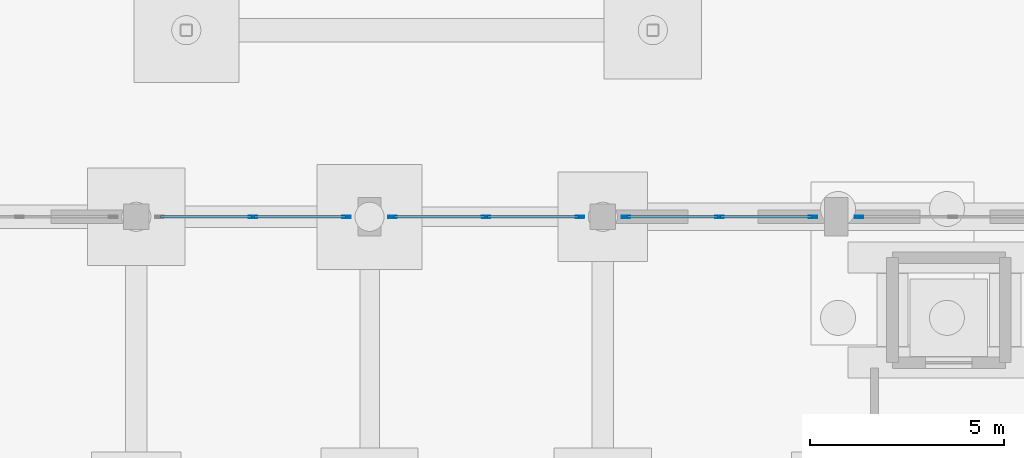
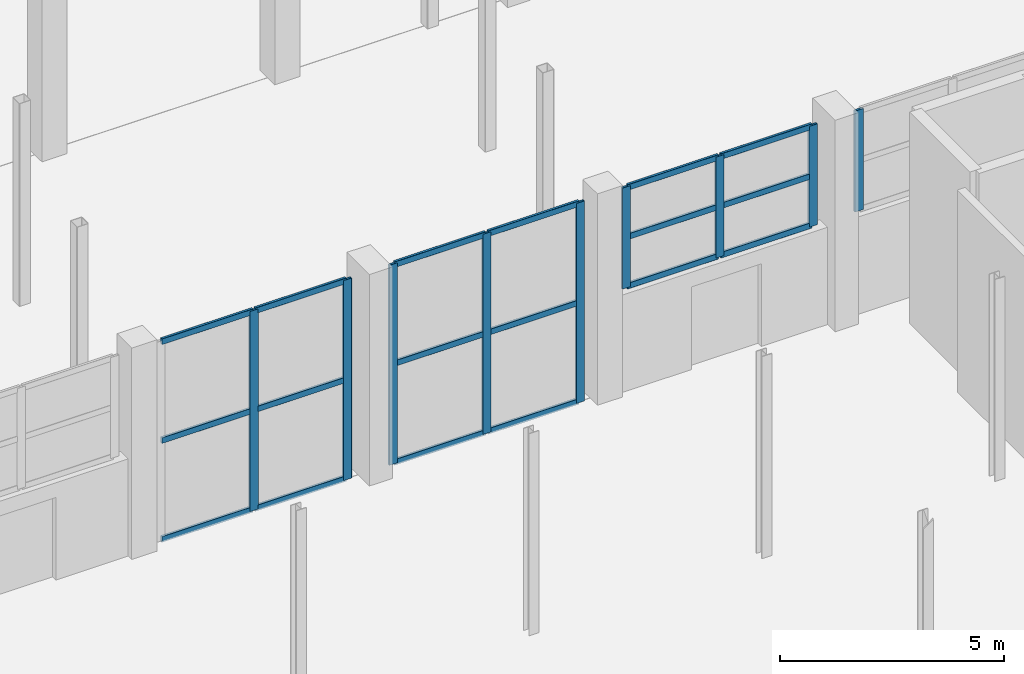
# One storey, part 64 of 103: 27 members, 4 elements without a shape of their own.
"""IFC4 building model written with IfcOpenShell, lengths in metres."""

from ifc_helpers import new_model, si_unit, direction, frame, origin, origin_2d, place, context, subcontext, project, spatial, hollow_rectangle, extrude, material, layer, layer_set, material_profile, profile_set, type_object, element, aggregate, save


model = new_model("IFC4")

# Units and contexts
model_context = context("Model", 3, precision=1e-05, world=origin(), true_north=direction((0.0, 1.0)))
body_context = subcontext(model_context, "Body", "Model", "MODEL_VIEW")
ifc_project = project(units=[si_unit("LENGTHUNIT", "METRE"), si_unit("AREAUNIT", "SQUARE_METRE"), si_unit("VOLUMEUNIT", "CUBIC_METRE"), si_unit("PLANEANGLEUNIT", "RADIAN"), si_unit("MASSUNIT", "GRAM", prefix="KILO")], contexts=[model_context])

# Site, building, storey
site_placement = place(None, origin())
site = spatial("IfcSite", under=ifc_project, at=site_placement, CompositionType="ELEMENT")
building_placement = place(site_placement, origin())
building = spatial("IfcBuilding", under=site, at=building_placement, Name="Dunvalen Ferry Terminal", CompositionType="ELEMENT")
storey_placement = place(building_placement, origin())
storey = spatial("IfcBuildingStorey", under=building, at=storey_placement, Name="L00", CompositionType="ELEMENT", Elevation=0.0)

# Curtain wall, members
ifc_material_1 = material(Name="Anodised marine aluminium and solar-control glazing", Category="aluminium")
ifc_layer = layer(ifc_material_1, 0.219970703125, Name="Anodised marine aluminium and solar-control glazing")
ifc_layer_set = layer_set([ifc_layer], Name="Anodised marine aluminium and solar-control glazing")
curtain_wall_type = type_object("IfcCurtainWallType", Name="ENV-CW-SYS-01", PredefinedType="NOTDEFINED", material=ifc_layer_set)
curtain_wall_1_placement = place(storey_placement, origin())
curtain_wall_1 = element("IfcCurtainWall", 1, at=curtain_wall_1_placement, inside=storey, type_object=curtain_wall_type, Name="L00 Curtain Wall CW-V2N-L00-04", PredefinedType="NOTDEFINED")
ifc_material_2 = material(Name="Anodised marine aluminium EN AW-6063 T6", Category="aluminium")
ifc_material_profile_1 = material_profile(ifc_material_2, hollow_rectangle(XDim=0.06494140625, YDim=0.219970703125, WallThickness=0.00390625, InnerFilletRadius=0.00390625, OuterFilletRadius=0.008056640625, at=origin_2d()), Name="Anodised marine aluminium EN AW-6063 T6")
ifc_profile_set_1 = profile_set([ifc_material_profile_1], Name="Anodised marine aluminium EN AW-6063 T6")
member_type_1 = type_object("IfcMemberType", Name="ENV-CW-MUL-1", PredefinedType="MULLION", material=ifc_profile_set_1)
member_1_placement = place(storey_placement, frame((129.0, 86.39990234375, 0.0), z_axis=(0.0, 0.0, 1.0), x_axis=(0.0, 1.0, 0.0)))
member_1 = element("IfcMember", 2, at=member_1_placement, type_object=member_type_1, Name="CW-01 mullion 2", PredefinedType="MULLION", context=body_context, shape_type="SweptSolid", body=[
    extrude(hollow_rectangle(XDim=0.06494140625, YDim=0.219970703125, WallThickness=0.00390625, InnerFilletRadius=0.00390625, OuterFilletRadius=0.008056640625, at=origin_2d()), origin(), (0.0, 0.0, 1.0), 5.449951171875),
])
member_2_placement = place(storey_placement, frame((131.407470703125, 86.39990234375, 0.0), z_axis=(0.0, 0.0, 1.0), x_axis=(0.0, 1.0, 0.0)))
member_2 = element("IfcMember", 3, at=member_2_placement, type_object=member_type_1, Name="CW-01 mullion 3", PredefinedType="MULLION", context=body_context, shape_type="SweptSolid", body=[
    extrude(hollow_rectangle(XDim=0.06494140625, YDim=0.219970703125, WallThickness=0.00390625, InnerFilletRadius=0.00390625, OuterFilletRadius=0.008056640625, at=origin_2d()), origin(), (0.0, 0.0, 1.0), 5.449951171875),
])

curtain_wall_2_placement = place(storey_placement, origin())
curtain_wall_2 = element("IfcCurtainWall", 4, at=curtain_wall_2_placement, inside=storey, type_object=curtain_wall_type, Name="L00 Curtain Wall CW-V2N-L00-05", PredefinedType="NOTDEFINED")
member_3_placement = place(storey_placement, frame((132.592529296875, 86.39990234375, 0.0), z_axis=(0.0, 0.0, 1.0), x_axis=(0.0, 1.0, 0.0)))
member_3 = element("IfcMember", 5, at=member_3_placement, type_object=member_type_1, Name="CW-01 mullion 1", PredefinedType="MULLION", context=body_context, shape_type="SweptSolid", body=[
    extrude(hollow_rectangle(XDim=0.06494140625, YDim=0.219970703125, WallThickness=0.00390625, InnerFilletRadius=0.00390625, OuterFilletRadius=0.008056640625, at=origin_2d()), origin(), (0.0, 0.0, 1.0), 5.449951171875),
])
member_4_placement = place(storey_placement, frame((135.0, 86.39990234375, 0.0), z_axis=(0.0, 0.0, 1.0), x_axis=(0.0, 1.0, 0.0)))
member_4 = element("IfcMember", 6, at=member_4_placement, type_object=member_type_1, Name="CW-01 mullion 2", PredefinedType="MULLION", context=body_context, shape_type="SweptSolid", body=[
    extrude(hollow_rectangle(XDim=0.06494140625, YDim=0.219970703125, WallThickness=0.00390625, InnerFilletRadius=0.00390625, OuterFilletRadius=0.008056640625, at=origin_2d()), origin(), (0.0, 0.0, 1.0), 5.449951171875),
])
member_5_placement = place(storey_placement, frame((137.407470703125, 86.39990234375, 0.0), z_axis=(0.0, 0.0, 1.0), x_axis=(0.0, 1.0, 0.0)))
member_5 = element("IfcMember", 7, at=member_5_placement, type_object=member_type_1, Name="CW-01 mullion 3", PredefinedType="MULLION", context=body_context, shape_type="SweptSolid", body=[
    extrude(hollow_rectangle(XDim=0.06494140625, YDim=0.219970703125, WallThickness=0.00390625, InnerFilletRadius=0.00390625, OuterFilletRadius=0.008056640625, at=origin_2d()), origin(), (0.0, 0.0, 1.0), 5.449951171875),
])

curtain_wall_3_placement = place(storey_placement, origin())
curtain_wall_3 = element("IfcCurtainWall", 8, at=curtain_wall_3_placement, inside=storey, type_object=curtain_wall_type, Name="L00 Curtain Wall CW-V2N-L00-06", PredefinedType="NOTDEFINED")
member_6_placement = place(storey_placement, frame((138.592529296875, 86.39990234375, 2.699951171875), z_axis=(0.0, 0.0, 1.0), x_axis=(0.0, 1.0, 0.0)))
member_6 = element("IfcMember", 9, at=member_6_placement, type_object=member_type_1, Name="CW-01 mullion 1", PredefinedType="MULLION", context=body_context, shape_type="SweptSolid", body=[
    extrude(hollow_rectangle(XDim=0.06494140625, YDim=0.219970703125, WallThickness=0.00390625, InnerFilletRadius=0.00390625, OuterFilletRadius=0.008056640625, at=origin_2d()), origin(), (0.0, 0.0, 1.0), 2.75),
])
member_7_placement = place(storey_placement, frame((141.0, 86.39990234375, 2.699951171875), z_axis=(0.0, 0.0, 1.0), x_axis=(0.0, 1.0, 0.0)))
member_7 = element("IfcMember", 10, at=member_7_placement, type_object=member_type_1, Name="CW-01 mullion 2", PredefinedType="MULLION", context=body_context, shape_type="SweptSolid", body=[
    extrude(hollow_rectangle(XDim=0.06494140625, YDim=0.219970703125, WallThickness=0.00390625, InnerFilletRadius=0.00390625, OuterFilletRadius=0.008056640625, at=origin_2d()), origin(), (0.0, 0.0, 1.0), 2.75),
])
member_8_placement = place(storey_placement, frame((143.407470703125, 86.39990234375, 2.699951171875), z_axis=(0.0, 0.0, 1.0), x_axis=(0.0, 1.0, 0.0)))
member_8 = element("IfcMember", 11, at=member_8_placement, type_object=member_type_1, Name="CW-01 mullion 3", PredefinedType="MULLION", context=body_context, shape_type="SweptSolid", body=[
    extrude(hollow_rectangle(XDim=0.06494140625, YDim=0.219970703125, WallThickness=0.00390625, InnerFilletRadius=0.00390625, OuterFilletRadius=0.008056640625, at=origin_2d()), origin(), (0.0, 0.0, 1.0), 2.75),
])

# Curtain wall, member
curtain_wall_4_placement = place(storey_placement, origin())
curtain_wall_4 = element("IfcCurtainWall", 12, at=curtain_wall_4_placement, inside=storey, type_object=curtain_wall_type, Name="L00 Curtain Wall CW-V2N-L00-07", PredefinedType="NOTDEFINED")
member_9_placement = place(storey_placement, frame((144.592529296875, 86.39990234375, 2.699951171875), z_axis=(0.0, 0.0, 1.0), x_axis=(0.0, 1.0, 0.0)))
member_9 = element("IfcMember", 13, at=member_9_placement, type_object=member_type_1, Name="CW-01 mullion 1", PredefinedType="MULLION", context=body_context, shape_type="SweptSolid", body=[
    extrude(hollow_rectangle(XDim=0.06494140625, YDim=0.219970703125, WallThickness=0.00390625, InnerFilletRadius=0.00390625, OuterFilletRadius=0.008056640625, at=origin_2d()), origin(), (0.0, 0.0, 1.0), 2.75),
])
aggregate(curtain_wall_4, [member_9])

# Member
ifc_material_profile_2 = material_profile(ifc_material_2, hollow_rectangle(XDim=0.06494140625, YDim=0.159912109375, WallThickness=0.00341796875, InnerFilletRadius=0.00341796875, OuterFilletRadius=0.007080078125, at=origin_2d()), Name="Anodised marine aluminium EN AW-6063 T6")
ifc_profile_set_2 = profile_set([ifc_material_profile_2], Name="Anodised marine aluminium EN AW-6063 T6")
member_type_2 = type_object("IfcMemberType", Name="ENV-CW-TRN-1", PredefinedType="USERDEFINED", material=ifc_profile_set_2)
member_10_placement = place(storey_placement, frame((126.625, 86.39990234375, 0.032470703125), z_axis=(1.0, 0.0, 0.0), x_axis=(0.0, 1.0, 0.0)))
member_10 = element("IfcMember", 14, at=member_10_placement, type_object=member_type_2, Name="CW-01 transom 1.1", ObjectType="TRANSOM", PredefinedType="USERDEFINED", context=body_context, shape_type="SweptSolid", body=[
    extrude(hollow_rectangle(XDim=0.06494140625, YDim=0.159912109375, WallThickness=0.00341796875, InnerFilletRadius=0.00341796875, OuterFilletRadius=0.007080078125, at=origin_2d()), origin(), (0.0, 0.0, 1.0), 2.342529296875),
])

member_11_placement = place(storey_placement, frame((126.625, 86.39990234375, 2.72509765625), z_axis=(1.0, 0.0, 0.0), x_axis=(0.0, 1.0, 0.0)))
member_11 = element("IfcMember", 15, at=member_11_placement, type_object=member_type_2, Name="CW-01 transom 1.2", ObjectType="TRANSOM", PredefinedType="USERDEFINED", context=body_context, shape_type="SweptSolid", body=[
    extrude(hollow_rectangle(XDim=0.06494140625, YDim=0.159912109375, WallThickness=0.00341796875, InnerFilletRadius=0.00341796875, OuterFilletRadius=0.007080078125, at=origin_2d()), origin(), (0.0, 0.0, 1.0), 2.342529296875),
])

member_12_placement = place(storey_placement, frame((126.625, 86.39990234375, 5.41748046875), z_axis=(1.0, 0.0, 0.0), x_axis=(0.0, 1.0, 0.0)))
member_12 = element("IfcMember", 16, at=member_12_placement, type_object=member_type_2, Name="CW-01 transom 1.3", ObjectType="TRANSOM", PredefinedType="USERDEFINED", context=body_context, shape_type="SweptSolid", body=[
    extrude(hollow_rectangle(XDim=0.06494140625, YDim=0.159912109375, WallThickness=0.00341796875, InnerFilletRadius=0.00341796875, OuterFilletRadius=0.007080078125, at=origin_2d()), origin(), (0.0, 0.0, 1.0), 2.342529296875),
])

member_13_placement = place(storey_placement, frame((129.032470703125, 86.39990234375, 0.032470703125), z_axis=(1.0, 0.0, 0.0), x_axis=(0.0, 1.0, 0.0)))
member_13 = element("IfcMember", 17, at=member_13_placement, type_object=member_type_2, Name="CW-01 transom 2.1", ObjectType="TRANSOM", PredefinedType="USERDEFINED", context=body_context, shape_type="SweptSolid", body=[
    extrude(hollow_rectangle(XDim=0.06494140625, YDim=0.159912109375, WallThickness=0.00341796875, InnerFilletRadius=0.00341796875, OuterFilletRadius=0.007080078125, at=origin_2d()), origin(), (0.0, 0.0, 1.0), 2.342529296875),
])

member_14_placement = place(storey_placement, frame((129.032470703125, 86.39990234375, 2.72509765625), z_axis=(1.0, 0.0, 0.0), x_axis=(0.0, 1.0, 0.0)))
member_14 = element("IfcMember", 18, at=member_14_placement, type_object=member_type_2, Name="CW-01 transom 2.2", ObjectType="TRANSOM", PredefinedType="USERDEFINED", context=body_context, shape_type="SweptSolid", body=[
    extrude(hollow_rectangle(XDim=0.06494140625, YDim=0.159912109375, WallThickness=0.00341796875, InnerFilletRadius=0.00341796875, OuterFilletRadius=0.007080078125, at=origin_2d()), origin(), (0.0, 0.0, 1.0), 2.342529296875),
])

member_15_placement = place(storey_placement, frame((129.032470703125, 86.39990234375, 5.41748046875), z_axis=(1.0, 0.0, 0.0), x_axis=(0.0, 1.0, 0.0)))
member_15 = element("IfcMember", 19, at=member_15_placement, type_object=member_type_2, Name="CW-01 transom 2.3", ObjectType="TRANSOM", PredefinedType="USERDEFINED", context=body_context, shape_type="SweptSolid", body=[
    extrude(hollow_rectangle(XDim=0.06494140625, YDim=0.159912109375, WallThickness=0.00341796875, InnerFilletRadius=0.00341796875, OuterFilletRadius=0.007080078125, at=origin_2d()), origin(), (0.0, 0.0, 1.0), 2.342529296875),
])

aggregate(curtain_wall_1, [member_1, member_2, member_10, member_11, member_12, member_13, member_14, member_15])

member_16_placement = place(storey_placement, frame((132.625, 86.39990234375, 0.032470703125), z_axis=(1.0, 0.0, 0.0), x_axis=(0.0, 1.0, 0.0)))
member_16 = element("IfcMember", 20, at=member_16_placement, type_object=member_type_2, Name="CW-01 transom 1.1", ObjectType="TRANSOM", PredefinedType="USERDEFINED", context=body_context, shape_type="SweptSolid", body=[
    extrude(hollow_rectangle(XDim=0.06494140625, YDim=0.159912109375, WallThickness=0.00341796875, InnerFilletRadius=0.00341796875, OuterFilletRadius=0.007080078125, at=origin_2d()), origin(), (0.0, 0.0, 1.0), 2.342529296875),
])

member_17_placement = place(storey_placement, frame((132.625, 86.39990234375, 2.72509765625), z_axis=(1.0, 0.0, 0.0), x_axis=(0.0, 1.0, 0.0)))
member_17 = element("IfcMember", 21, at=member_17_placement, type_object=member_type_2, Name="CW-01 transom 1.2", ObjectType="TRANSOM", PredefinedType="USERDEFINED", context=body_context, shape_type="SweptSolid", body=[
    extrude(hollow_rectangle(XDim=0.06494140625, YDim=0.159912109375, WallThickness=0.00341796875, InnerFilletRadius=0.00341796875, OuterFilletRadius=0.007080078125, at=origin_2d()), origin(), (0.0, 0.0, 1.0), 2.342529296875),
])

member_18_placement = place(storey_placement, frame((132.625, 86.39990234375, 5.41748046875), z_axis=(1.0, 0.0, 0.0), x_axis=(0.0, 1.0, 0.0)))
member_18 = element("IfcMember", 22, at=member_18_placement, type_object=member_type_2, Name="CW-01 transom 1.3", ObjectType="TRANSOM", PredefinedType="USERDEFINED", context=body_context, shape_type="SweptSolid", body=[
    extrude(hollow_rectangle(XDim=0.06494140625, YDim=0.159912109375, WallThickness=0.00341796875, InnerFilletRadius=0.00341796875, OuterFilletRadius=0.007080078125, at=origin_2d()), origin(), (0.0, 0.0, 1.0), 2.342529296875),
])

member_19_placement = place(storey_placement, frame((135.032470703125, 86.39990234375, 0.032470703125), z_axis=(1.0, 0.0, 0.0), x_axis=(0.0, 1.0, 0.0)))
member_19 = element("IfcMember", 23, at=member_19_placement, type_object=member_type_2, Name="CW-01 transom 2.1", ObjectType="TRANSOM", PredefinedType="USERDEFINED", context=body_context, shape_type="SweptSolid", body=[
    extrude(hollow_rectangle(XDim=0.06494140625, YDim=0.159912109375, WallThickness=0.00341796875, InnerFilletRadius=0.00341796875, OuterFilletRadius=0.007080078125, at=origin_2d()), origin(), (0.0, 0.0, 1.0), 2.342529296875),
])

member_20_placement = place(storey_placement, frame((135.032470703125, 86.39990234375, 2.72509765625), z_axis=(1.0, 0.0, 0.0), x_axis=(0.0, 1.0, 0.0)))
member_20 = element("IfcMember", 24, at=member_20_placement, type_object=member_type_2, Name="CW-01 transom 2.2", ObjectType="TRANSOM", PredefinedType="USERDEFINED", context=body_context, shape_type="SweptSolid", body=[
    extrude(hollow_rectangle(XDim=0.06494140625, YDim=0.159912109375, WallThickness=0.00341796875, InnerFilletRadius=0.00341796875, OuterFilletRadius=0.007080078125, at=origin_2d()), origin(), (0.0, 0.0, 1.0), 2.342529296875),
])

member_21_placement = place(storey_placement, frame((135.032470703125, 86.39990234375, 5.41748046875), z_axis=(1.0, 0.0, 0.0), x_axis=(0.0, 1.0, 0.0)))
member_21 = element("IfcMember", 25, at=member_21_placement, type_object=member_type_2, Name="CW-01 transom 2.3", ObjectType="TRANSOM", PredefinedType="USERDEFINED", context=body_context, shape_type="SweptSolid", body=[
    extrude(hollow_rectangle(XDim=0.06494140625, YDim=0.159912109375, WallThickness=0.00341796875, InnerFilletRadius=0.00341796875, OuterFilletRadius=0.007080078125, at=origin_2d()), origin(), (0.0, 0.0, 1.0), 2.342529296875),
])

aggregate(curtain_wall_2, [member_3, member_4, member_5, member_16, member_17, member_18, member_19, member_20, member_21])

member_22_placement = place(storey_placement, frame((138.625, 86.39990234375, 2.732421875), z_axis=(1.0, 0.0, 0.0), x_axis=(0.0, 1.0, 0.0)))
member_22 = element("IfcMember", 26, at=member_22_placement, type_object=member_type_2, Name="CW-01 transom 1.1", ObjectType="TRANSOM", PredefinedType="USERDEFINED", context=body_context, shape_type="SweptSolid", body=[
    extrude(hollow_rectangle(XDim=0.06494140625, YDim=0.159912109375, WallThickness=0.00341796875, InnerFilletRadius=0.00341796875, OuterFilletRadius=0.007080078125, at=origin_2d()), origin(), (0.0, 0.0, 1.0), 2.342529296875),
])

member_23_placement = place(storey_placement, frame((138.625, 86.39990234375, 4.074951171875), z_axis=(1.0, 0.0, 0.0), x_axis=(0.0, 1.0, 0.0)))
member_23 = element("IfcMember", 27, at=member_23_placement, type_object=member_type_2, Name="CW-01 transom 1.2", ObjectType="TRANSOM", PredefinedType="USERDEFINED", context=body_context, shape_type="SweptSolid", body=[
    extrude(hollow_rectangle(XDim=0.06494140625, YDim=0.159912109375, WallThickness=0.00341796875, InnerFilletRadius=0.00341796875, OuterFilletRadius=0.007080078125, at=origin_2d()), origin(), (0.0, 0.0, 1.0), 2.342529296875),
])

member_24_placement = place(storey_placement, frame((138.625, 86.39990234375, 5.41748046875), z_axis=(1.0, 0.0, 0.0), x_axis=(0.0, 1.0, 0.0)))
member_24 = element("IfcMember", 28, at=member_24_placement, type_object=member_type_2, Name="CW-01 transom 1.3", ObjectType="TRANSOM", PredefinedType="USERDEFINED", context=body_context, shape_type="SweptSolid", body=[
    extrude(hollow_rectangle(XDim=0.06494140625, YDim=0.159912109375, WallThickness=0.00341796875, InnerFilletRadius=0.00341796875, OuterFilletRadius=0.007080078125, at=origin_2d()), origin(), (0.0, 0.0, 1.0), 2.342529296875),
])

member_25_placement = place(storey_placement, frame((141.032470703125, 86.39990234375, 2.732421875), z_axis=(1.0, 0.0, 0.0), x_axis=(0.0, 1.0, 0.0)))
member_25 = element("IfcMember", 29, at=member_25_placement, type_object=member_type_2, Name="CW-01 transom 2.1", ObjectType="TRANSOM", PredefinedType="USERDEFINED", context=body_context, shape_type="SweptSolid", body=[
    extrude(hollow_rectangle(XDim=0.06494140625, YDim=0.159912109375, WallThickness=0.00341796875, InnerFilletRadius=0.00341796875, OuterFilletRadius=0.007080078125, at=origin_2d()), origin(), (0.0, 0.0, 1.0), 2.342529296875),
])

member_26_placement = place(storey_placement, frame((141.032470703125, 86.39990234375, 4.074951171875), z_axis=(1.0, 0.0, 0.0), x_axis=(0.0, 1.0, 0.0)))
member_26 = element("IfcMember", 30, at=member_26_placement, type_object=member_type_2, Name="CW-01 transom 2.2", ObjectType="TRANSOM", PredefinedType="USERDEFINED", context=body_context, shape_type="SweptSolid", body=[
    extrude(hollow_rectangle(XDim=0.06494140625, YDim=0.159912109375, WallThickness=0.00341796875, InnerFilletRadius=0.00341796875, OuterFilletRadius=0.007080078125, at=origin_2d()), origin(), (0.0, 0.0, 1.0), 2.342529296875),
])

member_27_placement = place(storey_placement, frame((141.032470703125, 86.39990234375, 5.41748046875), z_axis=(1.0, 0.0, 0.0), x_axis=(0.0, 1.0, 0.0)))
member_27 = element("IfcMember", 31, at=member_27_placement, type_object=member_type_2, Name="CW-01 transom 2.3", ObjectType="TRANSOM", PredefinedType="USERDEFINED", context=body_context, shape_type="SweptSolid", body=[
    extrude(hollow_rectangle(XDim=0.06494140625, YDim=0.159912109375, WallThickness=0.00341796875, InnerFilletRadius=0.00341796875, OuterFilletRadius=0.007080078125, at=origin_2d()), origin(), (0.0, 0.0, 1.0), 2.342529296875),
])

aggregate(curtain_wall_3, [member_6, member_7, member_8, member_22, member_23, member_24, member_25, member_26, member_27])

save(model, "model.ifc")
